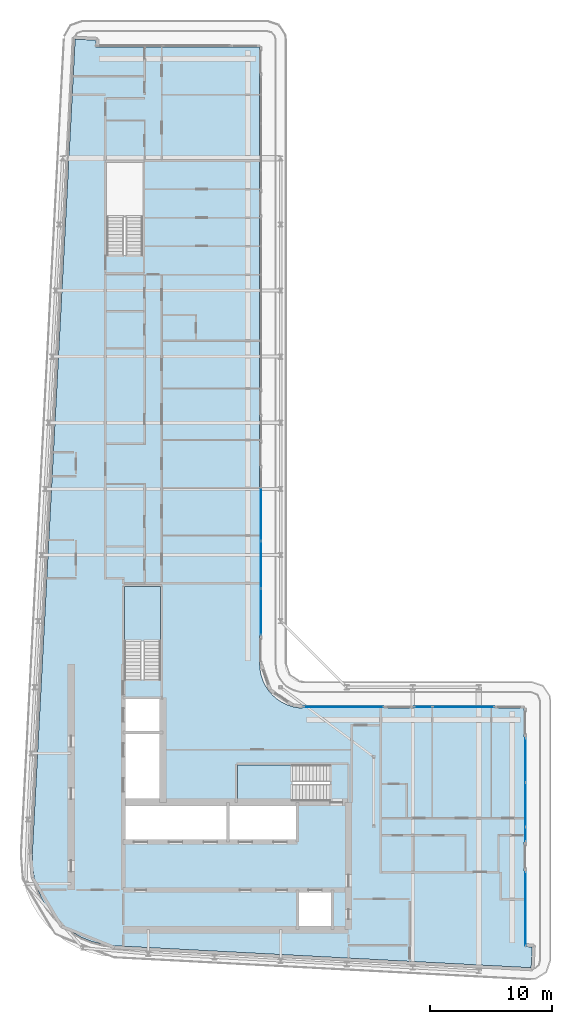
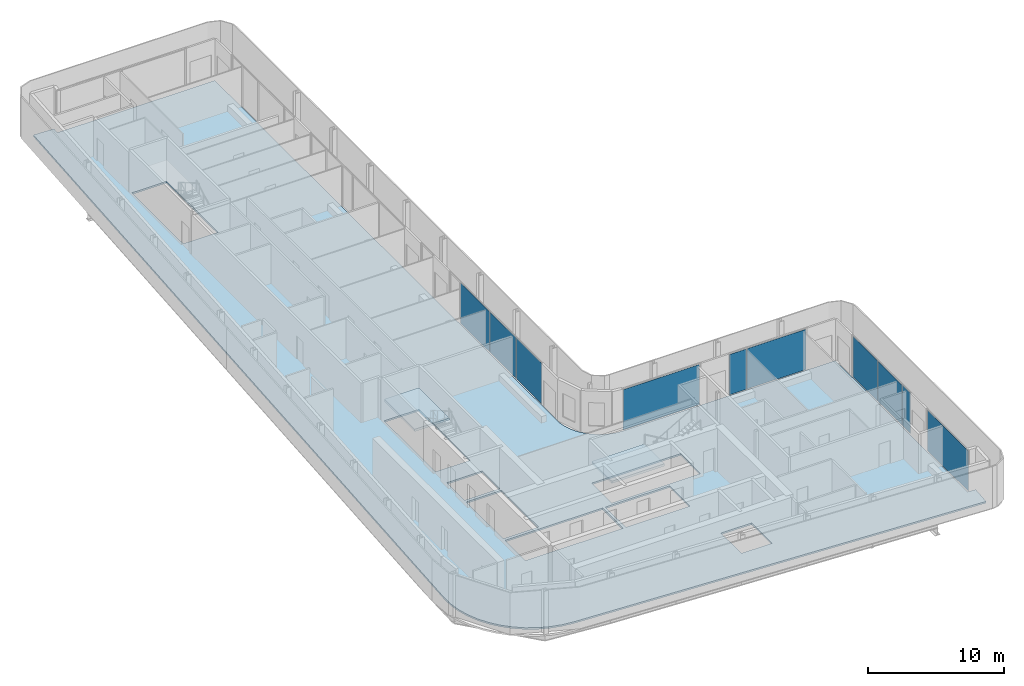
# One storey, part 9 of 21: 10 plates, 3 slabs, 9 elements without a shape of their own.
"""IFC4 building model written with IfcOpenShell, lengths in metres."""

from ifc_helpers import new_model, si_unit, direction, frame, origin, origin_2d, place, context, subcontext, project, spatial, polyline, rectangle, outline, extrude, material, layer, layer_set, type_object, element, aggregate, save


model = new_model("IFC4")

# Units and contexts
model_context = context("Model", 3, precision=1e-05, world=origin(), true_north=direction((0.0, 1.0)))
body_context = subcontext(model_context, "Body", "Model", "MODEL_VIEW")
ifc_project = project(units=[si_unit("LENGTHUNIT", "METRE"), si_unit("AREAUNIT", "SQUARE_METRE"), si_unit("VOLUMEUNIT", "CUBIC_METRE"), si_unit("PLANEANGLEUNIT", "RADIAN"), si_unit("MASSUNIT", "GRAM", prefix="KILO")], contexts=[model_context])

# Site, building, storey
site_placement = place(None, origin())
site = spatial("IfcSite", under=ifc_project, at=site_placement, CompositionType="ELEMENT")
building_placement = place(site_placement, origin())
building = spatial("IfcBuilding", under=site, at=building_placement, Name="Kheshtan School and Residences Tower", CompositionType="ELEMENT")
storey_placement = place(building_placement, frame((0.0, 0.0, 317.60009765625)))
storey = spatial("IfcBuildingStorey", under=building, at=storey_placement, Name="L75", CompositionType="ELEMENT", Elevation=317.60009765625)

# Curtain wall, plate
ifc_material_1 = material(Name="Clear low-e glass in thermally broken aluminium frame", Category="aluminium")
ifc_layer_1 = layer(ifc_material_1, 0.199951171875)
ifc_layer_set_1 = layer_set([ifc_layer_1], Name="Curtain wall CW-L")
curtain_wall_type = type_object("IfcCurtainWallType", Name="Curtain wall CW-L", PredefinedType="NOTDEFINED", material=ifc_layer_set_1)
curtain_wall_1_placement = place(storey_placement, origin())
curtain_wall_1 = element("IfcCurtainWall", 1, at=curtain_wall_1_placement, inside=storey, type_object=curtain_wall_type, Name="Curtain wall CWL8m", PredefinedType="NOTDEFINED")
ifc_layer_2 = layer(ifc_material_1, 0.031982421875)
ifc_layer_set_2 = layer_set([ifc_layer_2], Name="CW-L glass panel")
plate_type = type_object("IfcPlateType", Name="CW-L glass panel", PredefinedType="CURTAIN_PANEL", material=ifc_layer_set_2)
plate_1_placement = place(storey_placement, frame((46.0, 59.72705078125, 0.0), z_axis=(0.0, 0.0, 1.0), x_axis=(0.0, -1.0, 0.0)))
plate_1 = element("IfcPlate", 2, at=plate_1_placement, type_object=plate_type, Name="CWL8m panel 2.1", PredefinedType="CURTAIN_PANEL", context=body_context, shape_type="SweptSolid", body=[
    extrude(rectangle(XDim=4.285888671875, YDim=0.031982421875, at=origin_2d()), origin(), (0.0, 0.0, 1.0), 3.6298828125),
])
aggregate(curtain_wall_1, [plate_1])

# Curtain wall, plates
curtain_wall_2_placement = place(storey_placement, origin())
curtain_wall_2 = element("IfcCurtainWall", 3, at=curtain_wall_2_placement, inside=storey, type_object=curtain_wall_type, Name="Curtain wall CWL8", PredefinedType="NOTDEFINED")
plate_2_placement = place(storey_placement, frame((46.0, 55.615478515625, 0.0), z_axis=(0.0, 0.0, 1.0), x_axis=(0.0, -1.0, 0.0)))
plate_2 = element("IfcPlate", 4, at=plate_2_placement, type_object=plate_type, Name="CWL8 panel 1.1", PredefinedType="CURTAIN_PANEL", context=body_context, shape_type="SweptSolid", body=[
    extrude(rectangle(XDim=3.81689453125, YDim=0.031982421875, at=origin_2d()), origin(), (0.0, 0.0, 1.0), 3.6298828125),
])
plate_3_placement = place(storey_placement, frame((46.0, 51.7685546875, 0.0), z_axis=(0.0, 0.0, 1.0), x_axis=(0.0, -1.0, 0.0)))
plate_3 = element("IfcPlate", 5, at=plate_3_placement, type_object=plate_type, Name="CWL8 panel 2.1", PredefinedType="CURTAIN_PANEL", context=body_context, shape_type="SweptSolid", body=[
    extrude(rectangle(XDim=3.757080078125, YDim=0.031982421875, at=origin_2d()), origin(), (0.0, 0.0, 1.0), 3.6298828125),
])
aggregate(curtain_wall_2, [plate_2, plate_3])

# Curtain wall, plate
curtain_wall_3_placement = place(storey_placement, origin())
curtain_wall_3 = element("IfcCurtainWall", 6, at=curtain_wall_3_placement, inside=storey, type_object=curtain_wall_type, Name="Curtain wall CWL1233", PredefinedType="NOTDEFINED")
plate_4_placement = place(storey_placement, frame((52.74755859375, 44.0, 0.0), z_axis=(0.0, 0.0, 1.0), x_axis=(1.0, 0.0, 0.0)))
plate_4 = element("IfcPlate", 7, at=plate_4_placement, type_object=plate_type, Name="CWL1233 panel 1.1", PredefinedType="CURTAIN_PANEL", context=body_context, shape_type="SweptSolid", body=[
    extrude(rectangle(XDim=6.514892578125, YDim=0.031982421875, at=origin_2d()), origin(), (0.0, 0.0, 1.0), 3.6298828125),
])
aggregate(curtain_wall_3, [plate_4])

# Curtain wall, plates
curtain_wall_4_placement = place(storey_placement, origin())
curtain_wall_4 = element("IfcCurtainWall", 8, at=curtain_wall_4_placement, inside=storey, type_object=curtain_wall_type, Name="Curtain wall CWL1234", PredefinedType="NOTDEFINED")
plate_5_placement = place(storey_placement, frame((59.24755859375, 44.0, 0.0), z_axis=(0.0, 0.0, 1.0), x_axis=(1.0, 0.0, 0.0)))
plate_5 = element("IfcPlate", 9, at=plate_5_placement, type_object=plate_type, Name="CWL1234 panel 1.1", PredefinedType="CURTAIN_PANEL", context=body_context, shape_type="SweptSolid", body=[
    extrude(rectangle(XDim=1.445068359375, YDim=0.031982421875, at=origin_2d()), origin(), (0.0, 0.0, 1.0), 3.6298828125),
])
plate_6_placement = place(storey_placement, frame((62.534912109375, 44.0, 0.0), z_axis=(0.0, 0.0, 1.0), x_axis=(1.0, 0.0, 0.0)))
plate_6 = element("IfcPlate", 10, at=plate_6_placement, type_object=plate_type, Name="CWL1234 panel 2.1", PredefinedType="CURTAIN_PANEL", context=body_context, shape_type="SweptSolid", body=[
    extrude(rectangle(XDim=5.010009765625, YDim=0.031982421875, at=origin_2d()), origin(), (0.0, 0.0, 1.0), 3.6298828125),
])
aggregate(curtain_wall_4, [plate_5, plate_6])

curtain_wall_5_placement = place(storey_placement, origin())
curtain_wall_5 = element("IfcCurtainWall", 11, at=curtain_wall_5_placement, inside=storey, type_object=curtain_wall_type, Name="Curtain wall CWL13e", PredefinedType="NOTDEFINED")
plate_7_placement = place(storey_placement, frame((67.60009765625, 39.64990234375, 0.0), z_axis=(0.0, 0.0, 1.0), x_axis=(0.0, -1.0, 0.0)))
plate_7 = element("IfcPlate", 12, at=plate_7_placement, type_object=plate_type, Name="CWL13e panel 1.1", PredefinedType="CURTAIN_PANEL", context=body_context, shape_type="SweptSolid", body=[
    extrude(rectangle(XDim=3.580322265625, YDim=0.031982421875, at=origin_2d()), origin(), (0.0, 0.0, 1.0), 3.6298828125),
])
plate_8_placement = place(storey_placement, frame((67.60009765625, 36.009521484375, 0.0), z_axis=(0.0, 0.0, 1.0), x_axis=(0.0, -1.0, 0.0)))
plate_8 = element("IfcPlate", 13, at=plate_8_placement, type_object=plate_type, Name="CWL13e panel 2.1", PredefinedType="CURTAIN_PANEL", context=body_context, shape_type="SweptSolid", body=[
    extrude(rectangle(XDim=3.580322265625, YDim=0.031982421875, at=origin_2d()), origin(), (0.0, 0.0, 1.0), 3.6298828125),
])
aggregate(curtain_wall_5, [plate_7, plate_8])

# Curtain wall, plate
curtain_wall_6_placement = place(storey_placement, origin())
curtain_wall_6 = element("IfcCurtainWall", 14, at=curtain_wall_6_placement, inside=storey, type_object=curtain_wall_type, Name="Curtain wall CWL13f", PredefinedType="NOTDEFINED")
plate_9_placement = place(storey_placement, frame((67.60009765625, 33.589599609375, 0.0), z_axis=(0.0, 0.0, 1.0), x_axis=(0.0, -1.0, 0.0)))
plate_9 = element("IfcPlate", 15, at=plate_9_placement, type_object=plate_type, Name="CWL13f panel 1.1", PredefinedType="CURTAIN_PANEL", context=body_context, shape_type="SweptSolid", body=[
    extrude(rectangle(XDim=1.139892578125, YDim=0.031982421875, at=origin_2d()), origin(), (0.0, 0.0, 1.0), 3.6298828125),
])
aggregate(curtain_wall_6, [plate_9])

curtain_wall_7_placement = place(storey_placement, origin())
curtain_wall_7 = element("IfcCurtainWall", 16, at=curtain_wall_7_placement, inside=storey, type_object=curtain_wall_type, Name="Curtain wall CWL13g", PredefinedType="NOTDEFINED")
plate_10_placement = place(storey_placement, frame((67.60009765625, 27.4892578125, 0.0), z_axis=(0.0, 0.0, 1.0), x_axis=(0.0, -1.0, 0.0)))
plate_10 = element("IfcPlate", 17, at=plate_10_placement, type_object=plate_type, Name="CWL13g panel 1.1", PredefinedType="CURTAIN_PANEL", context=body_context, shape_type="SweptSolid", body=[
    extrude(rectangle(XDim=6.0205078125, YDim=0.031982421875, at=origin_2d()), origin(), (0.0, 0.0, 1.0), 3.6298828125),
])
aggregate(curtain_wall_7, [plate_10])

# Slab
ifc_material_2 = material(Name="Concrete C40/50", Category="concrete")
ifc_layer_3 = layer(ifc_material_2, 0.14990234375)
ifc_layer_set_3 = layer_set([ifc_layer_3], Name="Floor slab 150 Concrete C40/50")
slab_type_1 = type_object("IfcSlabType", Name="Floor slab 150 Concrete C40/50", PredefinedType="FLOOR", material=ifc_layer_set_3)
slab_1_placement = place(storey_placement, frame((0.0, 0.0, -0.150146484375)))
element("IfcSlab", 18, at=slab_1_placement, inside=storey, type_object=slab_type_1, Name="Floor slab L75", PredefinedType="FLOOR", context=body_context, shape_type="SweptSolid", body=[
    extrude(outline(polyline([(28.55908203125, 27.550048828125), (28.0849609375, 28.345947265625), (27.718017578125, 29.200927734375), (27.466064453125, 30.093017578125), (27.466064453125, 30.093994140625), (27.3330078125, 31.013916015625), (27.320068359375, 31.965087890625), (27.320068359375, 31.970947265625), (30.822021484375, 98.5009765625), (30.822998046875, 98.508056640625), (30.825927734375, 98.531005859375), (30.825927734375, 98.531982421875), (30.826904296875, 98.531982421875), (31.422119140625, 98.5), (31.423095703125, 98.5), (31.423095703125, 98.4990234375), (31.423095703125, 98.4951171875), (31.423095703125, 98.493896484375), (31.424072265625, 98.493896484375), (31.424072265625, 98.492919921875), (31.425048828125, 98.492919921875), (31.426025390625, 98.492919921875), (31.426025390625, 98.493896484375), (31.427978515625, 98.49609375), (31.428955078125, 98.4970703125), (31.429931640625, 98.498046875), (31.430908203125, 98.498046875), (31.430908203125, 98.4990234375), (31.431884765625, 98.4990234375), (31.431884765625, 98.5), (31.43505859375, 98.5009765625), (31.43603515625, 98.501953125), (31.43896484375, 98.501953125), (31.43994140625, 98.501953125), (31.43994140625, 98.5029296875), (31.44091796875, 98.5029296875), (31.446044921875, 98.5029296875), (32.5009765625, 98.447021484375), (32.50390625, 98.447021484375), (32.5048828125, 98.447021484375), (32.5048828125, 98.446044921875), (32.506103515625, 98.446044921875), (32.510009765625, 98.446044921875), (32.510009765625, 98.445068359375), (32.510986328125, 98.445068359375), (32.510986328125, 98.444091796875), (32.511962890625, 98.444091796875), (32.511962890625, 98.443115234375), (32.512939453125, 98.443115234375), (32.513916015625, 98.443115234375), (32.513916015625, 98.44189453125), (32.514892578125, 98.44189453125), (32.51611328125, 98.44189453125), (32.51904296875, 98.43896484375), (32.51904296875, 98.43798828125), (32.51904296875, 98.43701171875), (32.52001953125, 98.43701171875), (32.52001953125, 98.43603515625), (32.52099609375, 98.43603515625), (32.52099609375, 98.43408203125), (32.52099609375, 98.43310546875), (32.52197265625, 98.43310546875), (32.52197265625, 98.431884765625), (32.52294921875, 98.431884765625), (32.52294921875, 98.430908203125), (32.52294921875, 98.428955078125), (32.52294921875, 98.427978515625), (32.52392578125, 98.427978515625), (32.52392578125, 98.427001953125), (32.52392578125, 98.422119140625), (32.4970703125, 97.9208984375), (32.4970703125, 97.91796875), (32.4970703125, 97.9169921875), (32.49609375, 97.9169921875), (32.49609375, 97.916015625), (32.49609375, 97.912109375), (32.4951171875, 97.910888671875), (32.4951171875, 97.909912109375), (32.493896484375, 97.909912109375), (32.493896484375, 97.908935546875), (32.492919921875, 97.908935546875), (32.492919921875, 97.907958984375), (32.489013671875, 97.904052734375), (32.488037109375, 97.904052734375), (32.488037109375, 97.903076171875), (32.488037109375, 97.902099609375), (32.488037109375, 97.90087890625), (32.489013671875, 97.90087890625), (32.489013671875, 97.89990234375), (32.489990234375, 97.89990234375), (45.85498046875, 97.89990234375), (45.864990234375, 97.89794921875), (45.865966796875, 97.89794921875), (45.868896484375, 97.89599609375), (45.8740234375, 97.89404296875), (45.8779296875, 97.89208984375), (45.881103515625, 97.889892578125), (45.881103515625, 97.888916015625), (45.882080078125, 97.888916015625), (45.882080078125, 97.887939453125), (45.883056640625, 97.887939453125), (45.884033203125, 97.885009765625), (45.885009765625, 97.885009765625), (45.885009765625, 97.884033203125), (45.887939453125, 97.883056640625), (45.887939453125, 97.882080078125), (45.888916015625, 97.882080078125), (45.888916015625, 97.881103515625), (45.889892578125, 97.881103515625), (45.89208984375, 97.8779296875), (45.89404296875, 97.8740234375), (45.89599609375, 97.868896484375), (45.89794921875, 97.865966796875), (45.89794921875, 97.864990234375), (45.89990234375, 97.85498046875), (45.89990234375, 47.429931640625), (45.927001953125, 47.030029296875), (46.01806640625, 46.570068359375), (46.01806640625, 46.569091796875), (46.169921875, 46.1201171875), (46.37890625, 45.697021484375), (46.638916015625, 45.30810546875), (46.949951171875, 44.950927734375), (46.950927734375, 44.949951171875), (47.30810546875, 44.638916015625), (47.697021484375, 44.37890625), (48.1201171875, 44.169921875), (48.569091796875, 44.01806640625), (48.570068359375, 44.01806640625), (49.030029296875, 43.927001953125), (49.429931640625, 43.89990234375), (67.455078125, 43.89990234375), (67.4599609375, 43.89892578125), (67.465087890625, 43.89794921875), (67.466064453125, 43.89794921875), (67.468994140625, 43.89599609375), (67.47412109375, 43.89404296875), (67.47802734375, 43.89208984375), (67.48095703125, 43.889892578125), (67.48095703125, 43.888916015625), (67.48193359375, 43.888916015625), (67.48193359375, 43.887939453125), (67.48291015625, 43.887939453125), (67.48388671875, 43.885009765625), (67.485107421875, 43.885009765625), (67.485107421875, 43.884033203125), (67.488037109375, 43.883056640625), (67.488037109375, 43.882080078125), (67.489013671875, 43.882080078125), (67.489013671875, 43.881103515625), (67.489990234375, 43.881103515625), (67.491943359375, 43.8779296875), (67.493896484375, 43.8740234375), (67.49609375, 43.868896484375), (67.498046875, 43.865966796875), (67.498046875, 43.864990234375), (67.4990234375, 43.860107421875), (67.5, 43.85498046875), (67.5, 24.4140625), (67.5, 24.4130859375), (67.5009765625, 24.4130859375), (67.5009765625, 24.412109375), (67.501953125, 24.412109375), (67.5029296875, 24.412109375), (67.5029296875, 24.4130859375), (67.5048828125, 24.4150390625), (67.507080078125, 24.4169921875), (67.508056640625, 24.4169921875), (67.508056640625, 24.41796875), (67.509033203125, 24.41796875), (67.509033203125, 24.4189453125), (67.510009765625, 24.4189453125), (67.511962890625, 24.419921875), (67.512939453125, 24.4208984375), (67.51611328125, 24.4208984375), (67.51708984375, 24.4208984375), (67.51708984375, 24.422119140625), (67.51806640625, 24.422119140625), (67.52294921875, 24.422119140625), (68.137939453125, 24.388916015625), (68.14111328125, 24.388916015625), (68.14208984375, 24.388916015625), (68.14208984375, 24.387939453125), (68.14306640625, 24.387939453125), (68.14697265625, 24.387939453125), (68.14697265625, 24.386962890625), (68.14794921875, 24.386962890625), (68.14794921875, 24.385986328125), (68.14892578125, 24.385986328125), (68.14892578125, 24.385009765625), (68.14990234375, 24.385009765625), (68.15087890625, 24.385009765625), (68.15087890625, 24.384033203125), (68.152099609375, 24.384033203125), (68.153076171875, 24.384033203125), (68.153076171875, 24.383056640625), (68.155029296875, 24.381103515625), (68.156005859375, 24.381103515625), (68.156005859375, 24.3798828125), (68.156005859375, 24.37890625), (68.156982421875, 24.37890625), (68.156982421875, 24.3779296875), (68.157958984375, 24.3779296875), (68.157958984375, 24.3759765625), (68.157958984375, 24.375), (68.158935546875, 24.375), (68.158935546875, 24.3740234375), (68.159912109375, 24.3740234375), (68.159912109375, 24.373046875), (68.159912109375, 24.37109375), (68.159912109375, 24.3701171875), (68.160888671875, 24.3701171875), (68.160888671875, 24.368896484375), (68.160888671875, 24.364013671875), (68.10498046875, 23.306884765625), (68.10498046875, 23.303955078125), (68.10498046875, 23.302978515625), (68.10400390625, 23.302978515625), (68.10400390625, 23.302001953125), (68.10400390625, 23.298095703125), (68.10302734375, 23.297119140625), (68.10302734375, 23.2958984375), (68.10205078125, 23.2958984375), (68.10205078125, 23.294921875), (68.10107421875, 23.294921875), (68.10107421875, 23.2939453125), (68.10009765625, 23.29296875), (68.097900390625, 23.291015625), (68.096923828125, 23.2900390625), (68.095947265625, 23.2900390625), (68.095947265625, 23.2890625), (68.095947265625, 23.2880859375), (68.095947265625, 23.287109375), (68.096923828125, 23.287109375), (68.096923828125, 23.285888671875), (68.097900390625, 23.285888671875), (68.09912109375, 23.285888671875), (68.10009765625, 23.285888671875), (68.10009765625, 23.284912109375), (68.068115234375, 22.68994140625), (68.068115234375, 22.68896484375), (68.06689453125, 22.68896484375), (68.04296875, 22.68798828125), (68.0380859375, 22.68798828125), (34.056884765625, 24.47802734375), (33.114990234375, 24.590087890625), (32.215087890625, 24.819091796875), (32.214111328125, 24.819091796875), (31.35205078125, 25.1630859375), (30.541015625, 25.616943359375), (29.799072265625, 26.1708984375), (29.799072265625, 26.172119140625), (29.798095703125, 26.172119140625), (29.134033203125, 26.820068359375), (29.134033203125, 26.821044921875), (29.133056640625, 26.821044921875), (28.55908203125, 27.550048828125)]), holes=[polyline([(67.5009765625, 23.29296875), (67.5, 23.29296875), (67.5, 23.2919921875), (67.5, 23.2880859375), (67.5, 23.287109375), (67.5009765625, 23.287109375), (67.5009765625, 23.285888671875), (67.501953125, 23.285888671875), (67.506103515625, 23.285888671875), (67.507080078125, 23.285888671875), (67.507080078125, 23.287109375), (67.508056640625, 23.287109375), (67.508056640625, 23.2880859375), (67.508056640625, 23.2890625), (67.507080078125, 23.2890625), (67.506103515625, 23.2900390625), (67.5048828125, 23.291015625), (67.5029296875, 23.29296875), (67.5029296875, 23.2939453125), (67.501953125, 23.2939453125), (67.5009765625, 23.2939453125), (67.5009765625, 23.29296875)]), polyline([(31.424072265625, 97.906982421875), (31.423095703125, 97.906982421875), (31.423095703125, 97.906005859375), (31.423095703125, 97.902099609375), (31.423095703125, 97.90087890625), (31.424072265625, 97.90087890625), (31.424072265625, 97.89990234375), (31.425048828125, 97.89990234375), (31.428955078125, 97.89990234375), (31.429931640625, 97.89990234375), (31.429931640625, 97.90087890625), (31.430908203125, 97.90087890625), (31.430908203125, 97.902099609375), (31.430908203125, 97.903076171875), (31.429931640625, 97.903076171875), (31.428955078125, 97.904052734375), (31.427978515625, 97.905029296875), (31.427001953125, 97.906005859375), (31.426025390625, 97.906982421875), (31.426025390625, 97.907958984375), (31.425048828125, 97.907958984375), (31.424072265625, 97.907958984375), (31.424072265625, 97.906982421875)]), polyline([(51.72509765625, 28.925048828125), (49.125, 28.925048828125), (49.125, 25.925048828125), (51.72509765625, 25.925048828125), (51.72509765625, 28.925048828125)]), polyline([(43.175048828125, 33.074951171875), (43.175048828125, 36.074951171875), (34.875, 36.074951171875), (34.875, 33.074951171875), (43.175048828125, 33.074951171875)]), polyline([(43.425048828125, 36.074951171875), (43.425048828125, 33.074951171875), (48.875, 33.074951171875), (48.875, 36.074951171875), (43.425048828125, 36.074951171875)]), polyline([(51.64990234375, 37.699951171875), (51.64990234375, 39.25), (44.090087890625, 39.25), (44.090087890625, 36.300048828125), (51.639892578125, 36.300048828125), (51.639892578125, 37.699951171875), (51.64990234375, 37.699951171875)]), polyline([(37.875, 41.77490234375), (34.875, 41.77490234375), (34.875, 36.324951171875), (37.875, 36.324951171875), (37.875, 41.77490234375)]), polyline([(37.875, 44.625), (34.875, 44.625), (34.875, 42.02490234375), (37.875, 42.02490234375), (37.875, 44.625)]), polyline([(37.800048828125, 53.81005859375), (34.85009765625, 53.81005859375), (34.85009765625, 46.260009765625), (36.25, 46.260009765625), (36.25, 46.25), (37.800048828125, 46.25), (37.800048828125, 53.81005859375)]), polyline([(36.35009765625, 88.4599609375), (33.39990234375, 88.4599609375), (33.39990234375, 80.909912109375), (34.800048828125, 80.909912109375), (34.800048828125, 80.89990234375), (36.35009765625, 80.89990234375), (36.35009765625, 88.4599609375)])]), origin(), (0.0, 0.0, 1.0), 0.150146484375),
])

# Stair, slab
stair_type = type_object("IfcStairType", Name="Exit stair, half-turn", PredefinedType="HALF_TURN_STAIR", material=ifc_material_2)
stair_1_placement = place(storey_placement, origin())
stair_1 = element("IfcStair", 19, at=stair_1_placement, inside=storey, type_object=stair_type, Name="L75 Protected Exit Stair ST1", PredefinedType="HALF_TURN_STAIR")
ifc_layer_4 = layer(ifc_material_2, 0.199951171875)
ifc_layer_set_4 = layer_set([ifc_layer_4], Name="Stair landing 200 Concrete C40/50")
slab_type_2 = type_object("IfcSlabType", Name="Stair landing 200 Concrete C40/50", PredefinedType="LANDING", material=ifc_layer_set_4)
slab_2_placement = place(storey_placement, frame((0.0, 0.0, 1.75)))
slab_2 = element("IfcSlab", 20, at=slab_2_placement, type_object=slab_type_2, Name="ST1 landing 1", PredefinedType="LANDING", context=body_context, shape_type="SweptSolid", body=[
    extrude(outline(polyline([(48.570068359375, 39.25), (44.090087890625, 39.25), (44.090087890625, 36.300048828125), (48.570068359375, 36.300048828125), (48.570068359375, 39.25)])), origin(), (0.0, 0.0, 1.0), 0.199951171875),
])
aggregate(stair_1, [slab_2])

stair_2_placement = place(storey_placement, origin())
stair_2 = element("IfcStair", 21, at=stair_2_placement, inside=storey, type_object=stair_type, Name="L75 Protected Exit Stair ST2", PredefinedType="HALF_TURN_STAIR")
slab_3_placement = place(storey_placement, frame((0.0, 0.0, 1.75)))
slab_3 = element("IfcSlab", 22, at=slab_3_placement, type_object=slab_type_2, Name="ST2 landing 1", PredefinedType="LANDING", context=body_context, shape_type="SweptSolid", body=[
    extrude(outline(polyline([(37.800048828125, 49.330078125), (37.800048828125, 53.81005859375), (34.85009765625, 53.81005859375), (34.85009765625, 49.330078125), (37.800048828125, 49.330078125)])), origin(), (0.0, 0.0, 1.0), 0.199951171875),
])
aggregate(stair_2, [slab_3])

save(model, "model.ifc")
